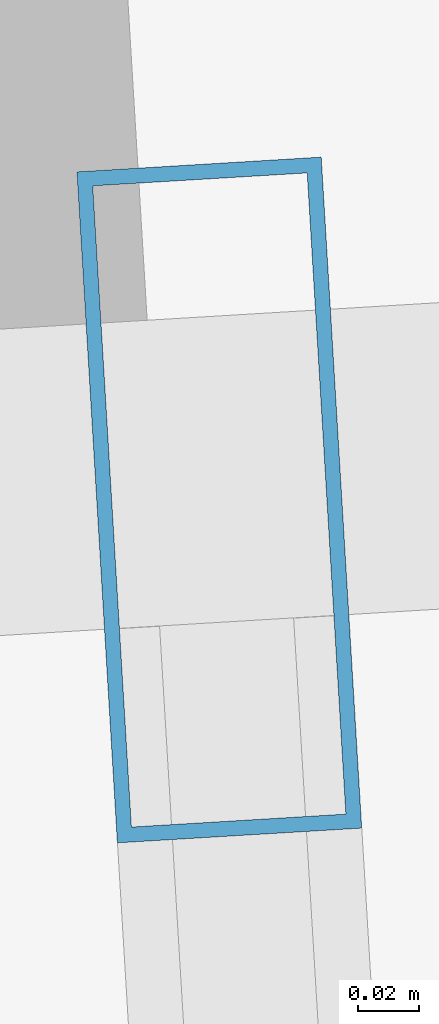
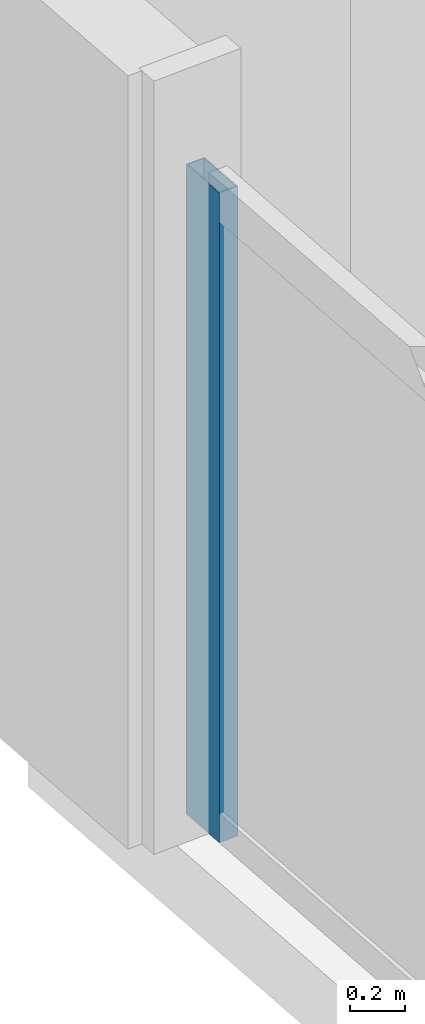
# One storey, part 16 of 34: 1 member, 1 element without a shape of its own.
"""IFC4 building model written with IfcOpenShell, lengths in metres."""

from ifc_helpers import new_model, si_unit, direction, frame, origin, origin_2d, place, context, subcontext, project, spatial, hollow_rectangle, extrude, material, material_profile, profile_set, type_object, element, aggregate, save


model = new_model("IFC4")

# Units and contexts
model_context = context("Model", 3, precision=1e-05, world=origin(), true_north=direction((0.0, 1.0)))
body_context = subcontext(model_context, "Body", "Model", "MODEL_VIEW")
ifc_project = project(units=[si_unit("LENGTHUNIT", "METRE"), si_unit("AREAUNIT", "SQUARE_METRE"), si_unit("VOLUMEUNIT", "CUBIC_METRE"), si_unit("PLANEANGLEUNIT", "RADIAN"), si_unit("MASSUNIT", "GRAM", prefix="KILO")], contexts=[model_context])

# Site, building, storey
site_placement = place(None, origin())
site = spatial("IfcSite", under=ifc_project, at=site_placement, CompositionType="ELEMENT")
building_placement = place(site_placement, origin())
building = spatial("IfcBuilding", under=site, at=building_placement, Name="Haldenkirk Collegiate Tower", CompositionType="ELEMENT")
storey_placement = place(building_placement, frame((0.0, 0.0, 40.199951171875)))
storey = spatial("IfcBuildingStorey", under=building, at=storey_placement, Name="L08", CompositionType="ELEMENT", Elevation=40.199951171875)

# Curtain wall, member
ifc_material = material(Name="Anodised architectural bronze aluminium", Category="aluminium")
curtain_wall_type = type_object("IfcCurtainWallType", Name="CW-SYS1-CONVEX-LOW", PredefinedType="USERDEFINED", material=ifc_material)
curtain_wall_placement = place(storey_placement, origin())
curtain_wall = element("IfcCurtainWall", 1, at=curtain_wall_placement, inside=storey, type_object=curtain_wall_type, Name="L08 Lower tower convex bronze-framed unitised curtain wall", ObjectType="UNITISED CURTAIN WALL", PredefinedType="USERDEFINED")
ifc_material_profile = material_profile(ifc_material, hollow_rectangle(XDim=0.080078125, YDim=0.219970703125, WallThickness=0.0048828125, at=origin_2d()), Name="CW-MUL-1A")
ifc_profile_set = profile_set([ifc_material_profile], Name="Anodised architectural bronze aluminium")
member_type = type_object("IfcMemberType", Name="CW-MUL-1A", PredefinedType="MULLION", material=ifc_profile_set)
member_placement = place(storey_placement, frame((7.973388671875, 45.208251953125, 0.0), z_axis=(0.0, 0.0, 1.0), x_axis=(-0.99818789594, -0.06017411735, 0.0)))
member = element("IfcMember", 2, at=member_placement, type_object=member_type, Name="CW-1A mullion 5", PredefinedType="MULLION", context=body_context, shape_type="SweptSolid", body=[
    extrude(hollow_rectangle(XDim=0.080078125, YDim=0.219970703125, WallThickness=0.0048828125, at=origin_2d()), origin(), (0.0, 0.0, 1.0), 2.89111328125),
])
aggregate(curtain_wall, [member])

save(model, "model.ifc")
